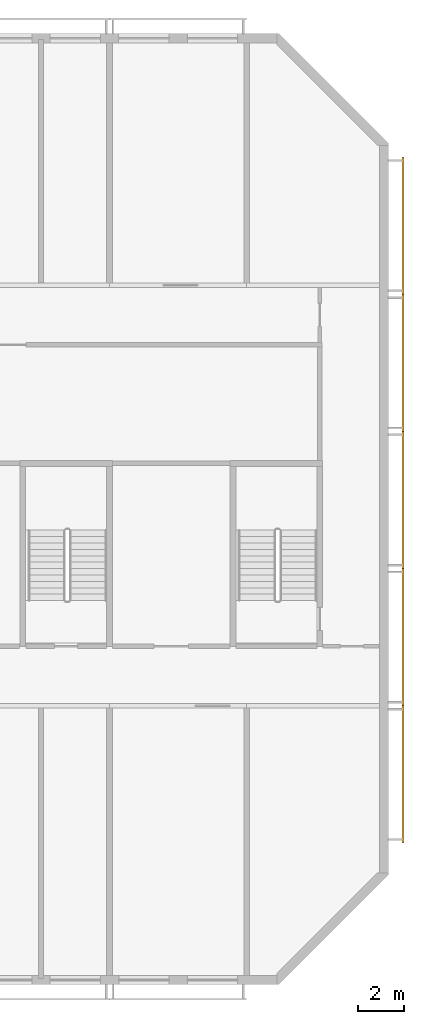
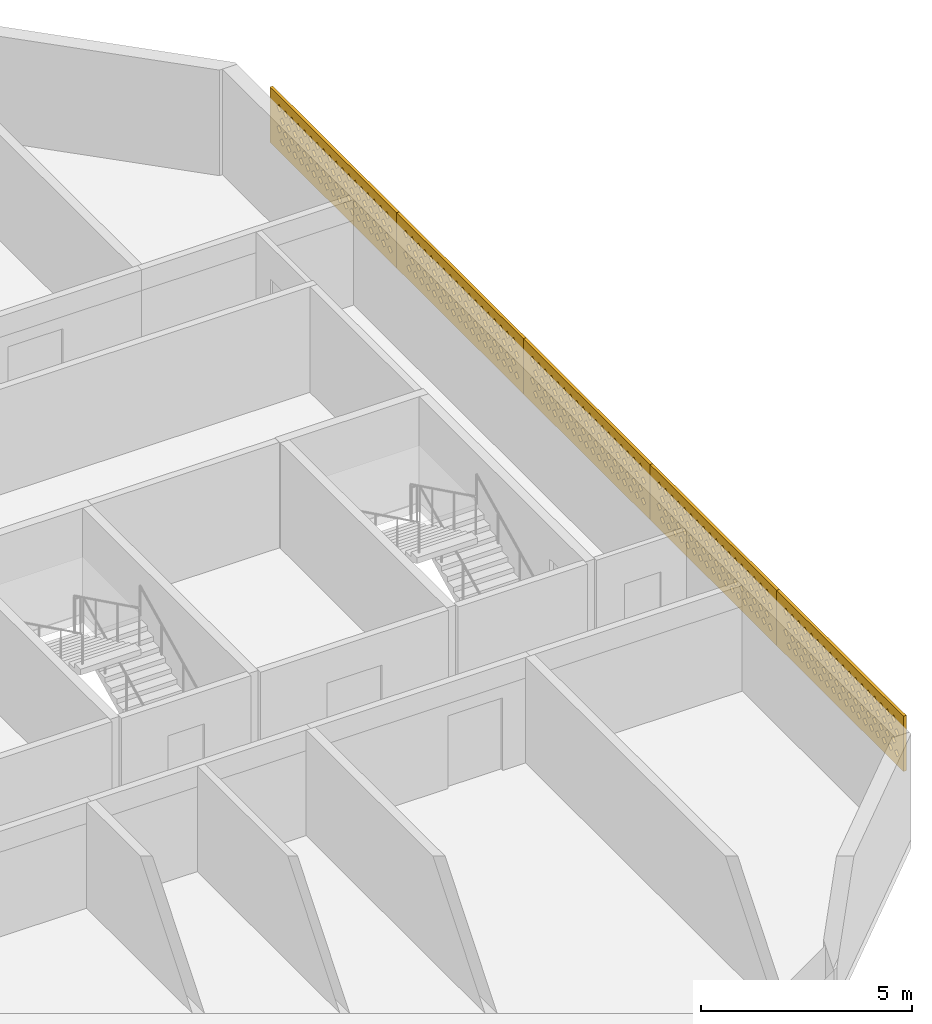
# One storey, part 18 of 18: 5 coverings.
"""IFC4 building model written with IfcOpenShell, lengths in metres."""

from ifc_helpers import new_model, si_unit, direction, frame, origin, place, context, subcontext, project, spatial, polyline, outline, extrude, source, transform, mapped, material, material_profile, profile_set, type_object, element, save


model = new_model("IFC4")

# Units and contexts
model_context = context("Model", 3, precision=1e-05, world=origin(), true_north=direction((0.0, 1.0)))
body_context = subcontext(model_context, "Body", "Model", "MODEL_VIEW")
ifc_project = project(units=[si_unit("LENGTHUNIT", "METRE"), si_unit("AREAUNIT", "SQUARE_METRE"), si_unit("VOLUMEUNIT", "CUBIC_METRE"), si_unit("PLANEANGLEUNIT", "RADIAN"), si_unit("MASSUNIT", "GRAM", prefix="KILO")], contexts=[model_context])

# Site, building, storey
site_placement = place(None, origin())
site = spatial("IfcSite", under=ifc_project, at=site_placement, CompositionType="ELEMENT")
building_placement = place(site_placement, origin())
building = spatial("IfcBuilding", under=site, at=building_placement, Name="Poui Terraces", CompositionType="ELEMENT")
storey_placement = place(building_placement, frame((0.0, 0.0, 272.39990234375)))
storey = spatial("IfcBuildingStorey", under=building, at=storey_placement, Name="L75 CROWN", CompositionType="ELEMENT", Elevation=272.39990234375)

# Coverings
ifc_material = material(Name="Terracotta screen", Category="masonry")
ifc_material_profile = material_profile(ifc_material, outline(polyline([(-3.0, -0.800048828125), (3.0, -0.800048828125), (3.0, 0.800048828125), (-3.0, 0.800048828125), (-3.0, -0.800048828125)]), holes=[polyline([(-2.800048828125, -0.449951171875), (-2.68994140625, -0.56005859375), (-2.580078125, -0.449951171875), (-2.68994140625, -0.340087890625), (-2.800048828125, -0.449951171875)]), polyline([(-2.5, -0.449951171875), (-2.389892578125, -0.56005859375), (-2.280029296875, -0.449951171875), (-2.389892578125, -0.340087890625), (-2.5, -0.449951171875)]), polyline([(-2.199951171875, -0.449951171875), (-2.090087890625, -0.56005859375), (-1.97998046875, -0.449951171875), (-2.090087890625, -0.340087890625), (-2.199951171875, -0.449951171875)]), polyline([(-1.89990234375, -0.449951171875), (-1.7900390625, -0.56005859375), (-1.679931640625, -0.449951171875), (-1.7900390625, -0.340087890625), (-1.89990234375, -0.449951171875)]), polyline([(-1.60009765625, -0.449951171875), (-1.489990234375, -0.56005859375), (-1.3798828125, -0.449951171875), (-1.489990234375, -0.340087890625), (-1.60009765625, -0.449951171875)]), polyline([(-1.300048828125, -0.449951171875), (-1.18994140625, -0.56005859375), (-1.080078125, -0.449951171875), (-1.18994140625, -0.340087890625), (-1.300048828125, -0.449951171875)]), polyline([(-1.0, -0.449951171875), (-0.889892578125, -0.56005859375), (-0.780029296875, -0.449951171875), (-0.889892578125, -0.340087890625), (-1.0, -0.449951171875)]), polyline([(-0.699951171875, -0.449951171875), (-0.590087890625, -0.56005859375), (-0.47998046875, -0.449951171875), (-0.590087890625, -0.340087890625), (-0.699951171875, -0.449951171875)]), polyline([(-0.39990234375, -0.449951171875), (-0.2900390625, -0.56005859375), (-0.179931640625, -0.449951171875), (-0.2900390625, -0.340087890625), (-0.39990234375, -0.449951171875)]), polyline([(-0.10009765625, -0.449951171875), (0.010009765625, -0.56005859375), (0.1201171875, -0.449951171875), (0.010009765625, -0.340087890625), (-0.10009765625, -0.449951171875)]), polyline([(0.199951171875, -0.449951171875), (0.31005859375, -0.56005859375), (0.419921875, -0.449951171875), (0.31005859375, -0.340087890625), (0.199951171875, -0.449951171875)]), polyline([(0.5, -0.449951171875), (0.610107421875, -0.56005859375), (0.719970703125, -0.449951171875), (0.610107421875, -0.340087890625), (0.5, -0.449951171875)]), polyline([(0.800048828125, -0.449951171875), (0.909912109375, -0.56005859375), (1.02001953125, -0.449951171875), (0.909912109375, -0.340087890625), (0.800048828125, -0.449951171875)]), polyline([(1.10009765625, -0.449951171875), (1.2099609375, -0.56005859375), (1.320068359375, -0.449951171875), (1.2099609375, -0.340087890625), (1.10009765625, -0.449951171875)]), polyline([(1.39990234375, -0.449951171875), (1.510009765625, -0.56005859375), (1.6201171875, -0.449951171875), (1.510009765625, -0.340087890625), (1.39990234375, -0.449951171875)]), polyline([(1.699951171875, -0.449951171875), (1.81005859375, -0.56005859375), (1.919921875, -0.449951171875), (1.81005859375, -0.340087890625), (1.699951171875, -0.449951171875)]), polyline([(2.0, -0.449951171875), (2.110107421875, -0.56005859375), (2.219970703125, -0.449951171875), (2.110107421875, -0.340087890625), (2.0, -0.449951171875)]), polyline([(2.300048828125, -0.449951171875), (2.409912109375, -0.56005859375), (2.52001953125, -0.449951171875), (2.409912109375, -0.340087890625), (2.300048828125, -0.449951171875)]), polyline([(-2.64990234375, -0.14990234375), (-2.5400390625, -0.260009765625), (-2.429931640625, -0.14990234375), (-2.5400390625, -0.0400390625), (-2.64990234375, -0.14990234375)]), polyline([(-2.35009765625, -0.14990234375), (-2.239990234375, -0.260009765625), (-2.1298828125, -0.14990234375), (-2.239990234375, -0.0400390625), (-2.35009765625, -0.14990234375)]), polyline([(-2.050048828125, -0.14990234375), (-1.93994140625, -0.260009765625), (-1.830078125, -0.14990234375), (-1.93994140625, -0.0400390625), (-2.050048828125, -0.14990234375)]), polyline([(-1.75, -0.14990234375), (-1.639892578125, -0.260009765625), (-1.530029296875, -0.14990234375), (-1.639892578125, -0.0400390625), (-1.75, -0.14990234375)]), polyline([(-1.449951171875, -0.14990234375), (-1.340087890625, -0.260009765625), (-1.22998046875, -0.14990234375), (-1.340087890625, -0.0400390625), (-1.449951171875, -0.14990234375)]), polyline([(-1.14990234375, -0.14990234375), (-1.0400390625, -0.260009765625), (-0.929931640625, -0.14990234375), (-1.0400390625, -0.0400390625), (-1.14990234375, -0.14990234375)]), polyline([(-0.85009765625, -0.14990234375), (-0.739990234375, -0.260009765625), (-0.6298828125, -0.14990234375), (-0.739990234375, -0.0400390625), (-0.85009765625, -0.14990234375)]), polyline([(-0.550048828125, -0.14990234375), (-0.43994140625, -0.260009765625), (-0.330078125, -0.14990234375), (-0.43994140625, -0.0400390625), (-0.550048828125, -0.14990234375)]), polyline([(-0.25, -0.14990234375), (-0.139892578125, -0.260009765625), (-0.030029296875, -0.14990234375), (-0.139892578125, -0.0400390625), (-0.25, -0.14990234375)]), polyline([(0.050048828125, -0.14990234375), (0.159912109375, -0.260009765625), (0.27001953125, -0.14990234375), (0.159912109375, -0.0400390625), (0.050048828125, -0.14990234375)]), polyline([(0.35009765625, -0.14990234375), (0.4599609375, -0.260009765625), (0.570068359375, -0.14990234375), (0.4599609375, -0.0400390625), (0.35009765625, -0.14990234375)]), polyline([(0.64990234375, -0.14990234375), (0.760009765625, -0.260009765625), (0.8701171875, -0.14990234375), (0.760009765625, -0.0400390625), (0.64990234375, -0.14990234375)]), polyline([(0.949951171875, -0.14990234375), (1.06005859375, -0.260009765625), (1.169921875, -0.14990234375), (1.06005859375, -0.0400390625), (0.949951171875, -0.14990234375)]), polyline([(1.25, -0.14990234375), (1.360107421875, -0.260009765625), (1.469970703125, -0.14990234375), (1.360107421875, -0.0400390625), (1.25, -0.14990234375)]), polyline([(1.550048828125, -0.14990234375), (1.659912109375, -0.260009765625), (1.77001953125, -0.14990234375), (1.659912109375, -0.0400390625), (1.550048828125, -0.14990234375)]), polyline([(1.85009765625, -0.14990234375), (1.9599609375, -0.260009765625), (2.070068359375, -0.14990234375), (1.9599609375, -0.0400390625), (1.85009765625, -0.14990234375)]), polyline([(2.14990234375, -0.14990234375), (2.260009765625, -0.260009765625), (2.3701171875, -0.14990234375), (2.260009765625, -0.0400390625), (2.14990234375, -0.14990234375)]), polyline([(2.449951171875, -0.14990234375), (2.56005859375, -0.260009765625), (2.669921875, -0.14990234375), (2.56005859375, -0.0400390625), (2.449951171875, -0.14990234375)]), polyline([(-2.800048828125, 0.14990234375), (-2.68994140625, 0.0400390625), (-2.580078125, 0.14990234375), (-2.68994140625, 0.260009765625), (-2.800048828125, 0.14990234375)]), polyline([(-2.5, 0.14990234375), (-2.389892578125, 0.0400390625), (-2.280029296875, 0.14990234375), (-2.389892578125, 0.260009765625), (-2.5, 0.14990234375)]), polyline([(-2.199951171875, 0.14990234375), (-2.090087890625, 0.0400390625), (-1.97998046875, 0.14990234375), (-2.090087890625, 0.260009765625), (-2.199951171875, 0.14990234375)]), polyline([(-1.89990234375, 0.14990234375), (-1.7900390625, 0.0400390625), (-1.679931640625, 0.14990234375), (-1.7900390625, 0.260009765625), (-1.89990234375, 0.14990234375)]), polyline([(-1.60009765625, 0.14990234375), (-1.489990234375, 0.0400390625), (-1.3798828125, 0.14990234375), (-1.489990234375, 0.260009765625), (-1.60009765625, 0.14990234375)]), polyline([(-1.300048828125, 0.14990234375), (-1.18994140625, 0.0400390625), (-1.080078125, 0.14990234375), (-1.18994140625, 0.260009765625), (-1.300048828125, 0.14990234375)]), polyline([(-1.0, 0.14990234375), (-0.889892578125, 0.0400390625), (-0.780029296875, 0.14990234375), (-0.889892578125, 0.260009765625), (-1.0, 0.14990234375)]), polyline([(-0.699951171875, 0.14990234375), (-0.590087890625, 0.0400390625), (-0.47998046875, 0.14990234375), (-0.590087890625, 0.260009765625), (-0.699951171875, 0.14990234375)]), polyline([(-0.39990234375, 0.14990234375), (-0.2900390625, 0.0400390625), (-0.179931640625, 0.14990234375), (-0.2900390625, 0.260009765625), (-0.39990234375, 0.14990234375)]), polyline([(-0.10009765625, 0.14990234375), (0.010009765625, 0.0400390625), (0.1201171875, 0.14990234375), (0.010009765625, 0.260009765625), (-0.10009765625, 0.14990234375)]), polyline([(0.199951171875, 0.14990234375), (0.31005859375, 0.0400390625), (0.419921875, 0.14990234375), (0.31005859375, 0.260009765625), (0.199951171875, 0.14990234375)]), polyline([(0.5, 0.14990234375), (0.610107421875, 0.0400390625), (0.719970703125, 0.14990234375), (0.610107421875, 0.260009765625), (0.5, 0.14990234375)]), polyline([(0.800048828125, 0.14990234375), (0.909912109375, 0.0400390625), (1.02001953125, 0.14990234375), (0.909912109375, 0.260009765625), (0.800048828125, 0.14990234375)]), polyline([(1.10009765625, 0.14990234375), (1.2099609375, 0.0400390625), (1.320068359375, 0.14990234375), (1.2099609375, 0.260009765625), (1.10009765625, 0.14990234375)]), polyline([(1.39990234375, 0.14990234375), (1.510009765625, 0.0400390625), (1.6201171875, 0.14990234375), (1.510009765625, 0.260009765625), (1.39990234375, 0.14990234375)]), polyline([(1.699951171875, 0.14990234375), (1.81005859375, 0.0400390625), (1.919921875, 0.14990234375), (1.81005859375, 0.260009765625), (1.699951171875, 0.14990234375)]), polyline([(2.0, 0.14990234375), (2.110107421875, 0.0400390625), (2.219970703125, 0.14990234375), (2.110107421875, 0.260009765625), (2.0, 0.14990234375)]), polyline([(2.300048828125, 0.14990234375), (2.409912109375, 0.0400390625), (2.52001953125, 0.14990234375), (2.409912109375, 0.260009765625), (2.300048828125, 0.14990234375)]), polyline([(-2.64990234375, 0.449951171875), (-2.5400390625, 0.340087890625), (-2.429931640625, 0.449951171875), (-2.5400390625, 0.56005859375), (-2.64990234375, 0.449951171875)]), polyline([(-2.35009765625, 0.449951171875), (-2.239990234375, 0.340087890625), (-2.1298828125, 0.449951171875), (-2.239990234375, 0.56005859375), (-2.35009765625, 0.449951171875)]), polyline([(-2.050048828125, 0.449951171875), (-1.93994140625, 0.340087890625), (-1.830078125, 0.449951171875), (-1.93994140625, 0.56005859375), (-2.050048828125, 0.449951171875)]), polyline([(-1.75, 0.449951171875), (-1.639892578125, 0.340087890625), (-1.530029296875, 0.449951171875), (-1.639892578125, 0.56005859375), (-1.75, 0.449951171875)]), polyline([(-1.449951171875, 0.449951171875), (-1.340087890625, 0.340087890625), (-1.22998046875, 0.449951171875), (-1.340087890625, 0.56005859375), (-1.449951171875, 0.449951171875)]), polyline([(-1.14990234375, 0.449951171875), (-1.0400390625, 0.340087890625), (-0.929931640625, 0.449951171875), (-1.0400390625, 0.56005859375), (-1.14990234375, 0.449951171875)]), polyline([(-0.85009765625, 0.449951171875), (-0.739990234375, 0.340087890625), (-0.6298828125, 0.449951171875), (-0.739990234375, 0.56005859375), (-0.85009765625, 0.449951171875)]), polyline([(-0.550048828125, 0.449951171875), (-0.43994140625, 0.340087890625), (-0.330078125, 0.449951171875), (-0.43994140625, 0.56005859375), (-0.550048828125, 0.449951171875)]), polyline([(-0.25, 0.449951171875), (-0.139892578125, 0.340087890625), (-0.030029296875, 0.449951171875), (-0.139892578125, 0.56005859375), (-0.25, 0.449951171875)]), polyline([(0.050048828125, 0.449951171875), (0.159912109375, 0.340087890625), (0.27001953125, 0.449951171875), (0.159912109375, 0.56005859375), (0.050048828125, 0.449951171875)]), polyline([(0.35009765625, 0.449951171875), (0.4599609375, 0.340087890625), (0.570068359375, 0.449951171875), (0.4599609375, 0.56005859375), (0.35009765625, 0.449951171875)]), polyline([(0.64990234375, 0.449951171875), (0.760009765625, 0.340087890625), (0.8701171875, 0.449951171875), (0.760009765625, 0.56005859375), (0.64990234375, 0.449951171875)]), polyline([(0.949951171875, 0.449951171875), (1.06005859375, 0.340087890625), (1.169921875, 0.449951171875), (1.06005859375, 0.56005859375), (0.949951171875, 0.449951171875)]), polyline([(1.25, 0.449951171875), (1.360107421875, 0.340087890625), (1.469970703125, 0.449951171875), (1.360107421875, 0.56005859375), (1.25, 0.449951171875)]), polyline([(1.550048828125, 0.449951171875), (1.659912109375, 0.340087890625), (1.77001953125, 0.449951171875), (1.659912109375, 0.56005859375), (1.550048828125, 0.449951171875)]), polyline([(1.85009765625, 0.449951171875), (1.9599609375, 0.340087890625), (2.070068359375, 0.449951171875), (1.9599609375, 0.56005859375), (1.85009765625, 0.449951171875)]), polyline([(2.14990234375, 0.449951171875), (2.260009765625, 0.340087890625), (2.3701171875, 0.449951171875), (2.260009765625, 0.56005859375), (2.14990234375, 0.449951171875)]), polyline([(2.449951171875, 0.449951171875), (2.56005859375, 0.340087890625), (2.669921875, 0.449951171875), (2.56005859375, 0.56005859375), (2.449951171875, 0.449951171875)])]), Name="TERRACOTTA SOLAR SCREEN 6000X1600")
ifc_profile_set = profile_set([ifc_material_profile], Name="Terracotta screen")
covering_type = type_object("IfcCoveringType", Name="TERRACOTTA SOLAR SCREEN 6000X1600", PredefinedType="CLADDING", material=ifc_profile_set)
shared_shape = source(origin(), body_context, "Body", "SweptSolid", [
    extrude(outline(polyline([(-3.0, -0.800048828125), (3.0, -0.800048828125), (3.0, 0.800048828125), (-3.0, 0.800048828125), (-3.0, -0.800048828125)]), holes=[polyline([(-2.800048828125, -0.449951171875), (-2.68994140625, -0.56005859375), (-2.580078125, -0.449951171875), (-2.68994140625, -0.340087890625), (-2.800048828125, -0.449951171875)]), polyline([(-2.5, -0.449951171875), (-2.389892578125, -0.56005859375), (-2.280029296875, -0.449951171875), (-2.389892578125, -0.340087890625), (-2.5, -0.449951171875)]), polyline([(-2.199951171875, -0.449951171875), (-2.090087890625, -0.56005859375), (-1.97998046875, -0.449951171875), (-2.090087890625, -0.340087890625), (-2.199951171875, -0.449951171875)]), polyline([(-1.89990234375, -0.449951171875), (-1.7900390625, -0.56005859375), (-1.679931640625, -0.449951171875), (-1.7900390625, -0.340087890625), (-1.89990234375, -0.449951171875)]), polyline([(-1.60009765625, -0.449951171875), (-1.489990234375, -0.56005859375), (-1.3798828125, -0.449951171875), (-1.489990234375, -0.340087890625), (-1.60009765625, -0.449951171875)]), polyline([(-1.300048828125, -0.449951171875), (-1.18994140625, -0.56005859375), (-1.080078125, -0.449951171875), (-1.18994140625, -0.340087890625), (-1.300048828125, -0.449951171875)]), polyline([(-1.0, -0.449951171875), (-0.889892578125, -0.56005859375), (-0.780029296875, -0.449951171875), (-0.889892578125, -0.340087890625), (-1.0, -0.449951171875)]), polyline([(-0.699951171875, -0.449951171875), (-0.590087890625, -0.56005859375), (-0.47998046875, -0.449951171875), (-0.590087890625, -0.340087890625), (-0.699951171875, -0.449951171875)]), polyline([(-0.39990234375, -0.449951171875), (-0.2900390625, -0.56005859375), (-0.179931640625, -0.449951171875), (-0.2900390625, -0.340087890625), (-0.39990234375, -0.449951171875)]), polyline([(-0.10009765625, -0.449951171875), (0.010009765625, -0.56005859375), (0.1201171875, -0.449951171875), (0.010009765625, -0.340087890625), (-0.10009765625, -0.449951171875)]), polyline([(0.199951171875, -0.449951171875), (0.31005859375, -0.56005859375), (0.419921875, -0.449951171875), (0.31005859375, -0.340087890625), (0.199951171875, -0.449951171875)]), polyline([(0.5, -0.449951171875), (0.610107421875, -0.56005859375), (0.719970703125, -0.449951171875), (0.610107421875, -0.340087890625), (0.5, -0.449951171875)]), polyline([(0.800048828125, -0.449951171875), (0.909912109375, -0.56005859375), (1.02001953125, -0.449951171875), (0.909912109375, -0.340087890625), (0.800048828125, -0.449951171875)]), polyline([(1.10009765625, -0.449951171875), (1.2099609375, -0.56005859375), (1.320068359375, -0.449951171875), (1.2099609375, -0.340087890625), (1.10009765625, -0.449951171875)]), polyline([(1.39990234375, -0.449951171875), (1.510009765625, -0.56005859375), (1.6201171875, -0.449951171875), (1.510009765625, -0.340087890625), (1.39990234375, -0.449951171875)]), polyline([(1.699951171875, -0.449951171875), (1.81005859375, -0.56005859375), (1.919921875, -0.449951171875), (1.81005859375, -0.340087890625), (1.699951171875, -0.449951171875)]), polyline([(2.0, -0.449951171875), (2.110107421875, -0.56005859375), (2.219970703125, -0.449951171875), (2.110107421875, -0.340087890625), (2.0, -0.449951171875)]), polyline([(2.300048828125, -0.449951171875), (2.409912109375, -0.56005859375), (2.52001953125, -0.449951171875), (2.409912109375, -0.340087890625), (2.300048828125, -0.449951171875)]), polyline([(-2.64990234375, -0.14990234375), (-2.5400390625, -0.260009765625), (-2.429931640625, -0.14990234375), (-2.5400390625, -0.0400390625), (-2.64990234375, -0.14990234375)]), polyline([(-2.35009765625, -0.14990234375), (-2.239990234375, -0.260009765625), (-2.1298828125, -0.14990234375), (-2.239990234375, -0.0400390625), (-2.35009765625, -0.14990234375)]), polyline([(-2.050048828125, -0.14990234375), (-1.93994140625, -0.260009765625), (-1.830078125, -0.14990234375), (-1.93994140625, -0.0400390625), (-2.050048828125, -0.14990234375)]), polyline([(-1.75, -0.14990234375), (-1.639892578125, -0.260009765625), (-1.530029296875, -0.14990234375), (-1.639892578125, -0.0400390625), (-1.75, -0.14990234375)]), polyline([(-1.449951171875, -0.14990234375), (-1.340087890625, -0.260009765625), (-1.22998046875, -0.14990234375), (-1.340087890625, -0.0400390625), (-1.449951171875, -0.14990234375)]), polyline([(-1.14990234375, -0.14990234375), (-1.0400390625, -0.260009765625), (-0.929931640625, -0.14990234375), (-1.0400390625, -0.0400390625), (-1.14990234375, -0.14990234375)]), polyline([(-0.85009765625, -0.14990234375), (-0.739990234375, -0.260009765625), (-0.6298828125, -0.14990234375), (-0.739990234375, -0.0400390625), (-0.85009765625, -0.14990234375)]), polyline([(-0.550048828125, -0.14990234375), (-0.43994140625, -0.260009765625), (-0.330078125, -0.14990234375), (-0.43994140625, -0.0400390625), (-0.550048828125, -0.14990234375)]), polyline([(-0.25, -0.14990234375), (-0.139892578125, -0.260009765625), (-0.030029296875, -0.14990234375), (-0.139892578125, -0.0400390625), (-0.25, -0.14990234375)]), polyline([(0.050048828125, -0.14990234375), (0.159912109375, -0.260009765625), (0.27001953125, -0.14990234375), (0.159912109375, -0.0400390625), (0.050048828125, -0.14990234375)]), polyline([(0.35009765625, -0.14990234375), (0.4599609375, -0.260009765625), (0.570068359375, -0.14990234375), (0.4599609375, -0.0400390625), (0.35009765625, -0.14990234375)]), polyline([(0.64990234375, -0.14990234375), (0.760009765625, -0.260009765625), (0.8701171875, -0.14990234375), (0.760009765625, -0.0400390625), (0.64990234375, -0.14990234375)]), polyline([(0.949951171875, -0.14990234375), (1.06005859375, -0.260009765625), (1.169921875, -0.14990234375), (1.06005859375, -0.0400390625), (0.949951171875, -0.14990234375)]), polyline([(1.25, -0.14990234375), (1.360107421875, -0.260009765625), (1.469970703125, -0.14990234375), (1.360107421875, -0.0400390625), (1.25, -0.14990234375)]), polyline([(1.550048828125, -0.14990234375), (1.659912109375, -0.260009765625), (1.77001953125, -0.14990234375), (1.659912109375, -0.0400390625), (1.550048828125, -0.14990234375)]), polyline([(1.85009765625, -0.14990234375), (1.9599609375, -0.260009765625), (2.070068359375, -0.14990234375), (1.9599609375, -0.0400390625), (1.85009765625, -0.14990234375)]), polyline([(2.14990234375, -0.14990234375), (2.260009765625, -0.260009765625), (2.3701171875, -0.14990234375), (2.260009765625, -0.0400390625), (2.14990234375, -0.14990234375)]), polyline([(2.449951171875, -0.14990234375), (2.56005859375, -0.260009765625), (2.669921875, -0.14990234375), (2.56005859375, -0.0400390625), (2.449951171875, -0.14990234375)]), polyline([(-2.800048828125, 0.14990234375), (-2.68994140625, 0.0400390625), (-2.580078125, 0.14990234375), (-2.68994140625, 0.260009765625), (-2.800048828125, 0.14990234375)]), polyline([(-2.5, 0.14990234375), (-2.389892578125, 0.0400390625), (-2.280029296875, 0.14990234375), (-2.389892578125, 0.260009765625), (-2.5, 0.14990234375)]), polyline([(-2.199951171875, 0.14990234375), (-2.090087890625, 0.0400390625), (-1.97998046875, 0.14990234375), (-2.090087890625, 0.260009765625), (-2.199951171875, 0.14990234375)]), polyline([(-1.89990234375, 0.14990234375), (-1.7900390625, 0.0400390625), (-1.679931640625, 0.14990234375), (-1.7900390625, 0.260009765625), (-1.89990234375, 0.14990234375)]), polyline([(-1.60009765625, 0.14990234375), (-1.489990234375, 0.0400390625), (-1.3798828125, 0.14990234375), (-1.489990234375, 0.260009765625), (-1.60009765625, 0.14990234375)]), polyline([(-1.300048828125, 0.14990234375), (-1.18994140625, 0.0400390625), (-1.080078125, 0.14990234375), (-1.18994140625, 0.260009765625), (-1.300048828125, 0.14990234375)]), polyline([(-1.0, 0.14990234375), (-0.889892578125, 0.0400390625), (-0.780029296875, 0.14990234375), (-0.889892578125, 0.260009765625), (-1.0, 0.14990234375)]), polyline([(-0.699951171875, 0.14990234375), (-0.590087890625, 0.0400390625), (-0.47998046875, 0.14990234375), (-0.590087890625, 0.260009765625), (-0.699951171875, 0.14990234375)]), polyline([(-0.39990234375, 0.14990234375), (-0.2900390625, 0.0400390625), (-0.179931640625, 0.14990234375), (-0.2900390625, 0.260009765625), (-0.39990234375, 0.14990234375)]), polyline([(-0.10009765625, 0.14990234375), (0.010009765625, 0.0400390625), (0.1201171875, 0.14990234375), (0.010009765625, 0.260009765625), (-0.10009765625, 0.14990234375)]), polyline([(0.199951171875, 0.14990234375), (0.31005859375, 0.0400390625), (0.419921875, 0.14990234375), (0.31005859375, 0.260009765625), (0.199951171875, 0.14990234375)]), polyline([(0.5, 0.14990234375), (0.610107421875, 0.0400390625), (0.719970703125, 0.14990234375), (0.610107421875, 0.260009765625), (0.5, 0.14990234375)]), polyline([(0.800048828125, 0.14990234375), (0.909912109375, 0.0400390625), (1.02001953125, 0.14990234375), (0.909912109375, 0.260009765625), (0.800048828125, 0.14990234375)]), polyline([(1.10009765625, 0.14990234375), (1.2099609375, 0.0400390625), (1.320068359375, 0.14990234375), (1.2099609375, 0.260009765625), (1.10009765625, 0.14990234375)]), polyline([(1.39990234375, 0.14990234375), (1.510009765625, 0.0400390625), (1.6201171875, 0.14990234375), (1.510009765625, 0.260009765625), (1.39990234375, 0.14990234375)]), polyline([(1.699951171875, 0.14990234375), (1.81005859375, 0.0400390625), (1.919921875, 0.14990234375), (1.81005859375, 0.260009765625), (1.699951171875, 0.14990234375)]), polyline([(2.0, 0.14990234375), (2.110107421875, 0.0400390625), (2.219970703125, 0.14990234375), (2.110107421875, 0.260009765625), (2.0, 0.14990234375)]), polyline([(2.300048828125, 0.14990234375), (2.409912109375, 0.0400390625), (2.52001953125, 0.14990234375), (2.409912109375, 0.260009765625), (2.300048828125, 0.14990234375)]), polyline([(-2.64990234375, 0.449951171875), (-2.5400390625, 0.340087890625), (-2.429931640625, 0.449951171875), (-2.5400390625, 0.56005859375), (-2.64990234375, 0.449951171875)]), polyline([(-2.35009765625, 0.449951171875), (-2.239990234375, 0.340087890625), (-2.1298828125, 0.449951171875), (-2.239990234375, 0.56005859375), (-2.35009765625, 0.449951171875)]), polyline([(-2.050048828125, 0.449951171875), (-1.93994140625, 0.340087890625), (-1.830078125, 0.449951171875), (-1.93994140625, 0.56005859375), (-2.050048828125, 0.449951171875)]), polyline([(-1.75, 0.449951171875), (-1.639892578125, 0.340087890625), (-1.530029296875, 0.449951171875), (-1.639892578125, 0.56005859375), (-1.75, 0.449951171875)]), polyline([(-1.449951171875, 0.449951171875), (-1.340087890625, 0.340087890625), (-1.22998046875, 0.449951171875), (-1.340087890625, 0.56005859375), (-1.449951171875, 0.449951171875)]), polyline([(-1.14990234375, 0.449951171875), (-1.0400390625, 0.340087890625), (-0.929931640625, 0.449951171875), (-1.0400390625, 0.56005859375), (-1.14990234375, 0.449951171875)]), polyline([(-0.85009765625, 0.449951171875), (-0.739990234375, 0.340087890625), (-0.6298828125, 0.449951171875), (-0.739990234375, 0.56005859375), (-0.85009765625, 0.449951171875)]), polyline([(-0.550048828125, 0.449951171875), (-0.43994140625, 0.340087890625), (-0.330078125, 0.449951171875), (-0.43994140625, 0.56005859375), (-0.550048828125, 0.449951171875)]), polyline([(-0.25, 0.449951171875), (-0.139892578125, 0.340087890625), (-0.030029296875, 0.449951171875), (-0.139892578125, 0.56005859375), (-0.25, 0.449951171875)]), polyline([(0.050048828125, 0.449951171875), (0.159912109375, 0.340087890625), (0.27001953125, 0.449951171875), (0.159912109375, 0.56005859375), (0.050048828125, 0.449951171875)]), polyline([(0.35009765625, 0.449951171875), (0.4599609375, 0.340087890625), (0.570068359375, 0.449951171875), (0.4599609375, 0.56005859375), (0.35009765625, 0.449951171875)]), polyline([(0.64990234375, 0.449951171875), (0.760009765625, 0.340087890625), (0.8701171875, 0.449951171875), (0.760009765625, 0.56005859375), (0.64990234375, 0.449951171875)]), polyline([(0.949951171875, 0.449951171875), (1.06005859375, 0.340087890625), (1.169921875, 0.449951171875), (1.06005859375, 0.56005859375), (0.949951171875, 0.449951171875)]), polyline([(1.25, 0.449951171875), (1.360107421875, 0.340087890625), (1.469970703125, 0.449951171875), (1.360107421875, 0.56005859375), (1.25, 0.449951171875)]), polyline([(1.550048828125, 0.449951171875), (1.659912109375, 0.340087890625), (1.77001953125, 0.449951171875), (1.659912109375, 0.56005859375), (1.550048828125, 0.449951171875)]), polyline([(1.85009765625, 0.449951171875), (1.9599609375, 0.340087890625), (2.070068359375, 0.449951171875), (1.9599609375, 0.56005859375), (1.85009765625, 0.449951171875)]), polyline([(2.14990234375, 0.449951171875), (2.260009765625, 0.340087890625), (2.3701171875, 0.449951171875), (2.260009765625, 0.56005859375), (2.14990234375, 0.449951171875)]), polyline([(2.449951171875, 0.449951171875), (2.56005859375, 0.340087890625), (2.669921875, 0.449951171875), (2.56005859375, 0.56005859375), (2.449951171875, 0.449951171875)])]), origin(), (0.0, 0.0, 1.0), 0.079833984375),
])
for number, where, z_axis, x_axis, name in (
    (1, (84.800048828125, 9.0, 1.7001953125), (1.0, 0.0, 0.0), (0.0, 1.0, 0.0), "SOLAR SCREEN"),
    (2, (84.800048828125, 15.0, 1.7001953125), (1.0, 0.0, 0.0), (0.0, 1.0, 0.0), "SOLAR SCREEN"),
    (3, (84.800048828125, 21.0, 1.7001953125), (1.0, 0.0, 0.0), (0.0, 1.0, 0.0), "SOLAR SCREEN"),
    (4, (84.800048828125, 27.0, 1.7001953125), (1.0, 0.0, 0.0), (0.0, 1.0, 0.0), "SOLAR SCREEN"),
    (5, (84.800048828125, 33.0, 1.7001953125), (1.0, 0.0, 0.0), (0.0, 1.0, 0.0), "SOLAR SCREEN"),
):
    element("IfcCovering", number, at=place(storey_placement, frame(where, z_axis=z_axis, x_axis=x_axis)), inside=storey, type_object=covering_type, Name=name, PredefinedType="CLADDING", context=body_context, shape_type="MappedRepresentation", body=[
        mapped(shared_shape, transform((0.0, 0.0, 0.0))),
    ])

save(model, "model.ifc")
